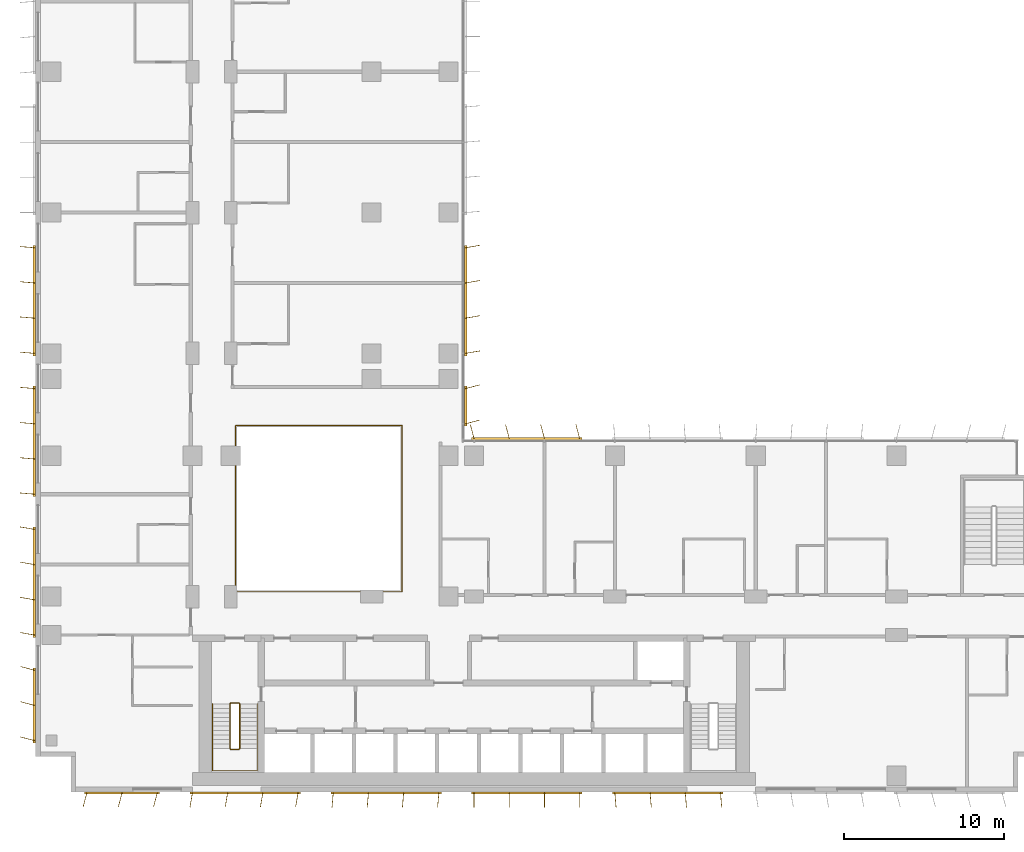
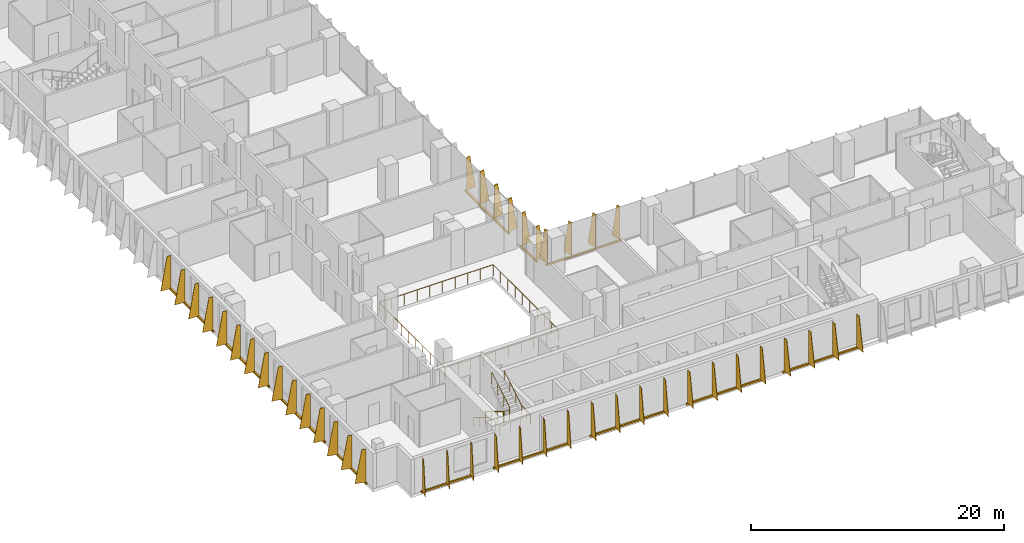
# One storey, part 19 of 22: 12 shading devices, 3 railings.
"""IFC4 building model written with IfcOpenShell, lengths in metres."""

from ifc_helpers import new_model, si_unit, direction, frame, origin, origin_2d, place, context, subcontext, project, spatial, polyline, rectangle, circle, outline, extrude, source, transform, mapped, material, layer, layer_set, type_object, element, save


model = new_model("IFC4")

# Units and contexts
model_context = context("Model", 3, precision=1e-05, world=origin(), true_north=direction((0.0, 1.0)))
body_context = subcontext(model_context, "Body", "Model", "MODEL_VIEW")
ifc_project = project(units=[si_unit("LENGTHUNIT", "METRE"), si_unit("AREAUNIT", "SQUARE_METRE"), si_unit("VOLUMEUNIT", "CUBIC_METRE"), si_unit("PLANEANGLEUNIT", "RADIAN"), si_unit("MASSUNIT", "GRAM", prefix="KILO")], contexts=[model_context])

# Site, building, storey
site_placement = place(None, origin())
site = spatial("IfcSite", under=ifc_project, at=site_placement, CompositionType="ELEMENT")
building_placement = place(site_placement, origin())
building = spatial("IfcBuilding", under=site, at=building_placement, Name="Kemantara Hotel Tower", CompositionType="ELEMENT")
storey_placement = place(building_placement, frame((0.0, 0.0, 94.5)))
storey = spatial("IfcBuildingStorey", under=building, at=storey_placement, Name="L22", CompositionType="ELEMENT", Elevation=94.5)

# Railings
ifc_material_1 = material(Name="Stainless steel and laminated glass balustrade", Category="steel")
railing_type_1 = type_object("IfcRailingType", Name="ATRIUM GUARD 1100", PredefinedType="GUARDRAIL", material=ifc_material_1)
railing_1_placement = place(storey_placement, frame((12.56005859375, 12.5, 0.0)))
element("IfcRailing", 1, at=railing_1_placement, inside=storey, type_object=railing_type_1, Name="ATRIUM GUARD L22", PredefinedType="GUARDRAIL", context=body_context, shape_type="SweptSolid", body=[
    extrude(circle(Radius=0.02490234375, at=origin_2d()), frame((0.0, 0.0, 1.0751953125), z_axis=(1.0, 0.0, 0.0), x_axis=(0.0, 1.0, 0.0)), (0.0, 0.0, 1.0), 10.33984375),
    extrude(circle(Radius=0.02490234375, at=origin_2d()), frame((10.33984375, 0.0, 1.0751953125), z_axis=(0.0, 1.0, 0.0), x_axis=(-1.0, 0.0, 0.0)), (0.0, 0.0, 1.0), 10.39990234375),
    extrude(circle(Radius=0.02490234375, at=origin_2d()), frame((10.33984375, 10.39990234375, 1.0751953125), z_axis=(-1.0, 0.0, 0.0), x_axis=(0.0, -1.0, 0.0)), (0.0, 0.0, 1.0), 10.39990234375),
    extrude(circle(Radius=0.02490234375, at=origin_2d()), frame((-0.06005859375, 10.39990234375, 1.0751953125), z_axis=(0.0, -1.0, 0.0), x_axis=(1.0, 0.0, 0.0)), (0.0, 0.0, 1.0), 10.39990234375),
    extrude(circle(Radius=0.02001953125, at=origin_2d()), origin(), (0.0, 0.0, 1.0), 1.050048828125),
    extrude(circle(Radius=0.02001953125, at=origin_2d()), frame((1.14892578125, 0.0, 0.0)), (0.0, 0.0, 1.0), 1.050048828125),
    extrude(circle(Radius=0.02001953125, at=origin_2d()), frame((2.2978515625, 0.0, 0.0)), (0.0, 0.0, 1.0), 1.050048828125),
    extrude(circle(Radius=0.02001953125, at=origin_2d()), frame((3.446533203125, 0.0, 0.0)), (0.0, 0.0, 1.0), 1.050048828125),
    extrude(circle(Radius=0.02001953125, at=origin_2d()), frame((4.595458984375, 0.0, 0.0)), (0.0, 0.0, 1.0), 1.050048828125),
    extrude(circle(Radius=0.02001953125, at=origin_2d()), frame((5.744384765625, 0.0, 0.0)), (0.0, 0.0, 1.0), 1.050048828125),
    extrude(circle(Radius=0.02001953125, at=origin_2d()), frame((6.893310546875, 0.0, 0.0)), (0.0, 0.0, 1.0), 1.050048828125),
    extrude(circle(Radius=0.02001953125, at=origin_2d()), frame((8.0419921875, 0.0, 0.0)), (0.0, 0.0, 1.0), 1.050048828125),
    extrude(circle(Radius=0.02001953125, at=origin_2d()), frame((9.19091796875, 0.0, 0.0)), (0.0, 0.0, 1.0), 1.050048828125),
    extrude(circle(Radius=0.02001953125, at=origin_2d()), frame((10.33984375, 0.0, 0.0)), (0.0, 0.0, 1.0), 1.050048828125),
    extrude(circle(Radius=0.02001953125, at=origin_2d()), frame((10.33984375, 1.155517578125, 0.0)), (0.0, 0.0, 1.0), 1.050048828125),
    extrude(circle(Radius=0.02001953125, at=origin_2d()), frame((10.33984375, 2.31103515625, 0.0)), (0.0, 0.0, 1.0), 1.050048828125),
    extrude(circle(Radius=0.02001953125, at=origin_2d()), frame((10.33984375, 3.466552734375, 0.0)), (0.0, 0.0, 1.0), 1.050048828125),
    extrude(circle(Radius=0.02001953125, at=origin_2d()), frame((10.33984375, 4.6220703125, 0.0)), (0.0, 0.0, 1.0), 1.050048828125),
    extrude(circle(Radius=0.02001953125, at=origin_2d()), frame((10.33984375, 5.77783203125, 0.0)), (0.0, 0.0, 1.0), 1.050048828125),
    extrude(circle(Radius=0.02001953125, at=origin_2d()), frame((10.33984375, 6.933349609375, 0.0)), (0.0, 0.0, 1.0), 1.050048828125),
    extrude(circle(Radius=0.02001953125, at=origin_2d()), frame((10.33984375, 8.0888671875, 0.0)), (0.0, 0.0, 1.0), 1.050048828125),
    extrude(circle(Radius=0.02001953125, at=origin_2d()), frame((10.33984375, 9.244384765625, 0.0)), (0.0, 0.0, 1.0), 1.050048828125),
    extrude(circle(Radius=0.02001953125, at=origin_2d()), frame((10.33984375, 10.39990234375, 0.0)), (0.0, 0.0, 1.0), 1.050048828125),
    extrude(circle(Radius=0.02001953125, at=origin_2d()), frame((9.184326171875, 10.39990234375, 0.0)), (0.0, 0.0, 1.0), 1.050048828125),
    extrude(circle(Radius=0.02001953125, at=origin_2d()), frame((8.02880859375, 10.39990234375, 0.0)), (0.0, 0.0, 1.0), 1.050048828125),
    extrude(circle(Radius=0.02001953125, at=origin_2d()), frame((6.873291015625, 10.39990234375, 0.0)), (0.0, 0.0, 1.0), 1.050048828125),
    extrude(circle(Radius=0.02001953125, at=origin_2d()), frame((5.7177734375, 10.39990234375, 0.0)), (0.0, 0.0, 1.0), 1.050048828125),
    extrude(circle(Radius=0.02001953125, at=origin_2d()), frame((4.56201171875, 10.39990234375, 0.0)), (0.0, 0.0, 1.0), 1.050048828125),
    extrude(circle(Radius=0.02001953125, at=origin_2d()), frame((3.406494140625, 10.39990234375, 0.0)), (0.0, 0.0, 1.0), 1.050048828125),
    extrude(circle(Radius=0.02001953125, at=origin_2d()), frame((2.2509765625, 10.39990234375, 0.0)), (0.0, 0.0, 1.0), 1.050048828125),
    extrude(circle(Radius=0.02001953125, at=origin_2d()), frame((1.095458984375, 10.39990234375, 0.0)), (0.0, 0.0, 1.0), 1.050048828125),
    extrude(circle(Radius=0.02001953125, at=origin_2d()), frame((-0.06005859375, 10.39990234375, 0.0)), (0.0, 0.0, 1.0), 1.050048828125),
    extrude(circle(Radius=0.02001953125, at=origin_2d()), frame((-0.06005859375, 9.244384765625, 0.0)), (0.0, 0.0, 1.0), 1.050048828125),
    extrude(circle(Radius=0.02001953125, at=origin_2d()), frame((-0.06005859375, 8.0888671875, 0.0)), (0.0, 0.0, 1.0), 1.050048828125),
    extrude(circle(Radius=0.02001953125, at=origin_2d()), frame((-0.06005859375, 6.933349609375, 0.0)), (0.0, 0.0, 1.0), 1.050048828125),
    extrude(circle(Radius=0.02001953125, at=origin_2d()), frame((-0.06005859375, 5.77783203125, 0.0)), (0.0, 0.0, 1.0), 1.050048828125),
    extrude(circle(Radius=0.02001953125, at=origin_2d()), frame((-0.06005859375, 4.6220703125, 0.0)), (0.0, 0.0, 1.0), 1.050048828125),
    extrude(circle(Radius=0.02001953125, at=origin_2d()), frame((-0.06005859375, 3.466552734375, 0.0)), (0.0, 0.0, 1.0), 1.050048828125),
    extrude(circle(Radius=0.02001953125, at=origin_2d()), frame((-0.06005859375, 2.31103515625, 0.0)), (0.0, 0.0, 1.0), 1.050048828125),
    extrude(circle(Radius=0.02001953125, at=origin_2d()), frame((-0.06005859375, 1.155517578125, 0.0)), (0.0, 0.0, 1.0), 1.050048828125),
    extrude(circle(Radius=0.02001953125, at=origin_2d()), frame((-0.06005859375, 0.0, 0.0)), (0.0, 0.0, 1.0), 1.050048828125),
])
ifc_material_2 = material(Name="Stainless steel balustrade", Category="steel")
railing_type_2 = type_object("IfcRailingType", Name="Stair guard 1100 mm", PredefinedType="GUARDRAIL", material=ifc_material_2)
railing_2_placement = place(storey_placement, frame((12.75, 5.5, 3.699951171875)))
element("IfcRailing", 2, at=railing_2_placement, inside=storey, type_object=railing_type_2, Name="L22 ST1 stair guard 1", PredefinedType="GUARDRAIL", context=body_context, shape_type="SweptSolid", body=[
    extrude(circle(Radius=0.02392578125, at=origin_2d()), frame((0.0, 0.0, 1.076171875), z_axis=(0.0, -0.857242210791, -0.514913383045), x_axis=(1.0, 0.0, 0.0)), (0.0, 0.0, 1.0), 3.266357421875),
    extrude(circle(Radius=0.02392578125, at=origin_2d()), frame((0.0, -2.800048828125, -0.60595703125), z_axis=(-0.274582412415, -0.274582412415, -0.921525364591), x_axis=(0.707106781187, -0.707106781187, 0.0)), (0.0, 0.0, 1.0), 0.182373046875),
    extrude(circle(Radius=0.02392578125, at=origin_2d()), frame((-0.050048828125, -2.85009765625, -0.77392578125), z_axis=(-1.0, 0.0, 0.0), x_axis=(0.0, -1.0, 0.0)), (0.0, 0.0, 1.0), 0.5),
    extrude(circle(Radius=0.02392578125, at=origin_2d()), frame((-0.550048828125, -2.85009765625, -0.77392578125), z_axis=(-0.707106781187, 0.707106781187, 0.0), x_axis=(-0.707106781187, -0.707106781187, 0.0)), (0.0, 0.0, 1.0), 0.07080078125),
    extrude(circle(Radius=0.02392578125, at=origin_2d()), frame((-0.60009765625, -2.800048828125, -0.77392578125), z_axis=(0.0, 0.857242210791, -0.514913383045), x_axis=(-1.0, 0.0, 0.0)), (0.0, 0.0, 1.0), 3.266357421875),
    extrude(circle(Radius=0.02392578125, at=origin_2d()), frame((-0.60009765625, 0.0, -2.45556640625), z_axis=(0.274243871929, 0.274243871929, -0.92172696468), x_axis=(-0.707106781187, 0.707106781187, 0.0)), (0.0, 0.0, 1.0), 0.1826171875),
    extrude(circle(Radius=0.02392578125, at=origin_2d()), frame((-0.550048828125, 0.050048828125, -2.6240234375), z_axis=(1.0, 0.0, 0.0), x_axis=(0.0, 1.0, 0.0)), (0.0, 0.0, 1.0), 0.5),
    extrude(circle(Radius=0.02099609375, at=origin_2d()), origin(), (0.0, 0.0, 1.0), 1.052001953125),
    extrude(circle(Radius=0.02099609375, at=origin_2d()), frame((0.0, -0.933349609375, -0.560546875)), (0.0, 0.0, 1.0), 1.052001953125),
    extrude(circle(Radius=0.02099609375, at=origin_2d()), frame((0.0, -1.86669921875, -1.121337890625)), (0.0, 0.0, 1.0), 1.052001953125),
    extrude(circle(Radius=0.02099609375, at=origin_2d()), frame((0.0, -2.800048828125, -1.681884765625)), (0.0, 0.0, 1.0), 1.052001953125),
    extrude(circle(Radius=0.02099609375, at=origin_2d()), frame((-0.050048828125, -2.85009765625, -1.849853515625)), (0.0, 0.0, 1.0), 1.052001953125),
    extrude(circle(Radius=0.02099609375, at=origin_2d()), frame((-0.550048828125, -2.85009765625, -1.849853515625)), (0.0, 0.0, 1.0), 1.052001953125),
    extrude(circle(Radius=0.02099609375, at=origin_2d()), frame((-0.60009765625, -2.800048828125, -1.849853515625)), (0.0, 0.0, 1.0), 1.052001953125),
    extrude(circle(Radius=0.02099609375, at=origin_2d()), frame((-0.60009765625, -1.86669921875, -2.410400390625)), (0.0, 0.0, 1.0), 1.052001953125),
    extrude(circle(Radius=0.02099609375, at=origin_2d()), frame((-0.60009765625, -0.933349609375, -2.97119140625)), (0.0, 0.0, 1.0), 1.052001953125),
    extrude(circle(Radius=0.02099609375, at=origin_2d()), frame((-0.60009765625, 0.0, -3.53173828125)), (0.0, 0.0, 1.0), 1.052001953125),
    extrude(circle(Radius=0.02099609375, at=origin_2d()), frame((-0.550048828125, 0.050048828125, -3.699951171875)), (0.0, 0.0, 1.0), 1.052001953125),
    extrude(circle(Radius=0.02099609375, at=origin_2d()), frame((-0.050048828125, 0.050048828125, -3.699951171875)), (0.0, 0.0, 1.0), 1.052001953125),
])
railing_type_3 = type_object("IfcRailingType", Name="Stair handrail 900 mm", PredefinedType="HANDRAIL", material=ifc_material_2)
railing_3_placement = place(storey_placement, frame((11.050048828125, 5.5, 0.168212890625)))
element("IfcRailing", 3, at=railing_3_placement, inside=storey, type_object=railing_type_3, Name="L22 ST1 stair handrail 1", PredefinedType="HANDRAIL", context=body_context, shape_type="SweptSolid", body=[
    extrude(circle(Radius=0.02392578125, at=origin_2d()), frame((0.0, 0.0, 0.8759765625), z_axis=(0.0, -0.857242210791, 0.514913383045), x_axis=(1.0, 0.0, 0.0)), (0.0, 0.0, 1.0), 3.266357421875),
    extrude(circle(Radius=0.02392578125, at=origin_2d()), frame((0.0, -2.800048828125, 2.5576171875), z_axis=(0.0, -1.0, 0.0), x_axis=(1.0, 0.0, 0.0)), (0.0, 0.0, 1.0), 1.3798828125),
    extrude(circle(Radius=0.02392578125, at=origin_2d()), frame((0.0, -4.179931640625, 2.5576171875), z_axis=(0.998205573864, 0.0, 0.059880149518), x_axis=(0.0, 1.0, 0.0)), (0.0, 0.0, 1.0), 2.80517578125),
    extrude(circle(Radius=0.02392578125, at=origin_2d()), frame((2.800048828125, -4.179931640625, 2.7255859375), z_axis=(0.0, 1.0, 0.0), x_axis=(-1.0, 0.0, 0.0)), (0.0, 0.0, 1.0), 1.3798828125),
    extrude(circle(Radius=0.02392578125, at=origin_2d()), frame((2.800048828125, -2.800048828125, 2.7255859375), z_axis=(0.0, 0.857242210791, 0.514913383045), x_axis=(-1.0, 0.0, 0.0)), (0.0, 0.0, 1.0), 3.266357421875),
    extrude(circle(Radius=0.02099609375, at=origin_2d()), origin(), (0.0, 0.0, 1.0), 0.851806640625),
    extrude(circle(Radius=0.02099609375, at=origin_2d()), frame((0.0, -0.933349609375, 0.560546875)), (0.0, 0.0, 1.0), 0.851806640625),
    extrude(circle(Radius=0.02099609375, at=origin_2d()), frame((0.0, -1.86669921875, 1.121337890625)), (0.0, 0.0, 1.0), 0.851806640625),
    extrude(circle(Radius=0.02099609375, at=origin_2d()), frame((0.0, -2.800048828125, 1.681884765625)), (0.0, 0.0, 1.0), 0.851806640625),
    extrude(circle(Radius=0.02099609375, at=origin_2d()), frame((0.0, -3.489990234375, 1.681884765625)), (0.0, 0.0, 1.0), 0.851806640625),
    extrude(circle(Radius=0.02099609375, at=origin_2d()), frame((0.0, -4.179931640625, 1.681884765625)), (0.0, 0.0, 1.0), 0.851806640625),
    extrude(circle(Radius=0.02099609375, at=origin_2d()), frame((0.933349609375, -4.179931640625, 1.73779296875)), (0.0, 0.0, 1.0), 0.851806640625),
    extrude(circle(Radius=0.02099609375, at=origin_2d()), frame((1.86669921875, -4.179931640625, 1.7939453125)), (0.0, 0.0, 1.0), 0.851806640625),
    extrude(circle(Radius=0.02099609375, at=origin_2d()), frame((2.800048828125, -4.179931640625, 1.849853515625)), (0.0, 0.0, 1.0), 0.851806640625),
    extrude(circle(Radius=0.02099609375, at=origin_2d()), frame((2.800048828125, -3.489990234375, 1.849853515625)), (0.0, 0.0, 1.0), 0.851806640625),
    extrude(circle(Radius=0.02099609375, at=origin_2d()), frame((2.800048828125, -2.800048828125, 1.849853515625)), (0.0, 0.0, 1.0), 0.851806640625),
    extrude(circle(Radius=0.02099609375, at=origin_2d()), frame((2.800048828125, -1.86669921875, 2.410400390625)), (0.0, 0.0, 1.0), 0.851806640625),
    extrude(circle(Radius=0.02099609375, at=origin_2d()), frame((2.800048828125, -0.933349609375, 2.97119140625)), (0.0, 0.0, 1.0), 0.851806640625),
    extrude(circle(Radius=0.02099609375, at=origin_2d()), frame((2.800048828125, 0.0, 3.53173828125)), (0.0, 0.0, 1.0), 0.851806640625),
])

# Shading devices
ifc_material_3 = material(Name="Perforated aluminium plate 4 mm bronze anodised", Category="aluminium")
ifc_layer_1 = layer(ifc_material_3, 0.0400390625)
ifc_layer_set_1 = layer_set([ifc_layer_1], Name="Perforated aluminium plate 4 mm bronze anodised")
shading_device_type_1 = type_object("IfcShadingDeviceType", Name="SCREEN FIN CASSETTE, 3 BLADES AT -15.0 DEG, 3200 HIGH", PredefinedType="USERDEFINED", material=ifc_layer_set_1)
shared_shape_1 = source(origin(), body_context, "Body", "SweptSolid", [
    extrude(rectangle(XDim=4.699951171875, YDim=0.14990234375, at=origin_2d()), frame((2.199951171875, -0.074951171875, -0.14990234375), z_axis=(0.0, 0.0, 1.0), x_axis=(1.0, 0.0, 0.0)), (0.0, 0.0, 1.0), 0.14990234375),
    extrude(outline(polyline([(0.0, 0.0), (0.89990234375, 0.0), (0.35009765625, 3.199951171875), (0.0, 3.199951171875), (0.0, 0.0)])), frame((0.019287109375, -0.080078125, 0.0), z_axis=(-0.966437683387, 0.256901156343, 0.0), x_axis=(-0.256901156343, -0.966437683387, 0.0)), (0.0, 0.0, 1.0), 0.039794921875),
    extrude(outline(polyline([(0.0, 0.0), (0.89990234375, 0.0), (0.35009765625, 3.199951171875), (0.0, 3.199951171875), (0.0, 0.0)])), frame((2.21923828125, -0.080078125, 0.0), z_axis=(-0.966437683387, 0.256901156343, 0.0), x_axis=(-0.256901156343, -0.966437683387, 0.0)), (0.0, 0.0, 1.0), 0.039794921875),
    extrude(outline(polyline([(0.0, 0.0), (0.89990234375, 0.0), (0.35009765625, 3.199951171875), (0.0, 3.199951171875), (0.0, 0.0)])), frame((4.41943359375, -0.080078125, 0.0), z_axis=(-0.966837822169, 0.255391122837, 0.0), x_axis=(-0.255391122837, -0.966837822169, 0.0)), (0.0, 0.0, 1.0), 0.0400390625),
])
for number, where, z_axis, x_axis, name in (
    (4, (0.0, 7.60009765625, 0.10009765625), (0.0, 0.0, 1.0), (0.0, -1.0, 0.0), "SCREEN FIN CASSETTE L22 T2-R04-9"),
    (5, (3.199951171875, 0.0, 0.10009765625), (0.0, 0.0, 1.0), (1.0, 0.0, 0.0), "SCREEN FIN CASSETTE L22 T2-R07-1"),
):
    element("IfcShadingDevice", number, at=place(storey_placement, frame(where, z_axis=z_axis, x_axis=x_axis)), inside=storey, type_object=shading_device_type_1, Name=name, ObjectType="SCREEN FIN", PredefinedType="USERDEFINED", context=body_context, shape_type="MappedRepresentation", body=[
        mapped(shared_shape_1, transform((0.0, 0.0, 0.0))),
    ])
ifc_layer_2 = layer(ifc_material_3, 0.0400390625)
ifc_layer_set_2 = layer_set([ifc_layer_2], Name="Perforated aluminium plate 4 mm bronze anodised")
shading_device_type_2 = type_object("IfcShadingDeviceType", Name="SCREEN FIN CASSETTE, 4 BLADES AT -10.0 DEG, 3200 HIGH", PredefinedType="USERDEFINED", material=ifc_layer_set_2)
shared_shape_2 = source(origin(), body_context, "Body", "SweptSolid", [
    extrude(rectangle(XDim=6.89990234375, YDim=0.14990234375, at=origin_2d()), frame((3.300048828125, -0.074951171875, -0.14990234375), z_axis=(0.0, 0.0, 1.0), x_axis=(1.0, 0.0, 0.0)), (0.0, 0.0, 1.0), 0.14990234375),
    extrude(outline(polyline([(0.0, 0.0), (0.89990234375, 0.0), (0.35009765625, 3.199951171875), (0.0, 3.199951171875), (0.0, 0.0)])), frame((0.019775390625, -0.078369140625, 0.0), z_axis=(-0.985389793052, 0.170314285219, 0.0), x_axis=(-0.170314285219, -0.985389793052, 0.0)), (0.0, 0.0, 1.0), 0.0400390625),
    extrude(outline(polyline([(0.0, 0.0), (0.89990234375, 0.0), (0.35009765625, 3.199951171875), (0.0, 3.199951171875), (0.0, 0.0)])), frame((2.2197265625, -0.078369140625, 0.0), z_axis=(-0.98521175482, 0.171341174751, 0.0), x_axis=(-0.171341174751, -0.98521175482, 0.0)), (0.0, 0.0, 1.0), 0.039794921875),
    extrude(outline(polyline([(0.0, 0.0), (0.89990234375, 0.0), (0.35009765625, 3.199951171875), (0.0, 3.199951171875), (0.0, 0.0)])), frame((4.419677734375, -0.078369140625, 0.0), z_axis=(-0.98521175482, 0.171341174751, 0.0), x_axis=(-0.171341174751, -0.98521175482, 0.0)), (0.0, 0.0, 1.0), 0.039794921875),
    extrude(outline(polyline([(0.0, 0.0), (0.89990234375, 0.0), (0.35009765625, 3.199951171875), (0.0, 3.199951171875), (0.0, 0.0)])), frame((6.61962890625, -0.078369140625, 0.0), z_axis=(-0.98521175482, 0.171341174751, 0.0), x_axis=(-0.171341174751, -0.98521175482, 0.0)), (0.0, 0.0, 1.0), 0.039794921875),
])
for number, where, z_axis, x_axis, name in (
    (6, (0.0, 16.39990234375, 0.10009765625), (0.0, 0.0, 1.0), (0.0, -1.0, 0.0), "SCREEN FIN CASSETTE L22 T2-R04-8"),
    (7, (9.800048828125, 0.0, 0.10009765625), (0.0, 0.0, 1.0), (1.0, 0.0, 0.0), "SCREEN FIN CASSETTE L22 T2-R07-2"),
):
    element("IfcShadingDevice", number, at=place(storey_placement, frame(where, z_axis=z_axis, x_axis=x_axis)), inside=storey, type_object=shading_device_type_2, Name=name, ObjectType="SCREEN FIN", PredefinedType="USERDEFINED", context=body_context, shape_type="MappedRepresentation", body=[
        mapped(shared_shape_2, transform((0.0, 0.0, 0.0))),
    ])
ifc_layer_3 = layer(ifc_material_3, 0.0400390625)
ifc_layer_set_3 = layer_set([ifc_layer_3], Name="Perforated aluminium plate 4 mm bronze anodised")
shading_device_type_3 = type_object("IfcShadingDeviceType", Name="SCREEN FIN CASSETTE, 4 BLADES AT -5.0 DEG, 3200 HIGH", PredefinedType="USERDEFINED", material=ifc_layer_set_3)
shared_shape_3 = source(origin(), body_context, "Body", "SweptSolid", [
    extrude(rectangle(XDim=6.89990234375, YDim=0.14990234375, at=origin_2d()), frame((3.300048828125, -0.074951171875, -0.14990234375), z_axis=(0.0, 0.0, 1.0), x_axis=(1.0, 0.0, 0.0)), (0.0, 0.0, 1.0), 0.14990234375),
    extrude(outline(polyline([(0.0, 0.0), (0.89990234375, 0.0), (0.35009765625, 3.199951171875), (0.0, 3.199951171875), (0.0, 0.0)])), frame((0.02001953125, -0.07666015625, 0.0), z_axis=(-0.996376129781, 0.085056498884, 0.0), x_axis=(-0.085056498884, -0.996376129781, 0.0)), (0.0, 0.0, 1.0), 0.040283203125),
    extrude(outline(polyline([(0.0, 0.0), (0.89990234375, 0.0), (0.35009765625, 3.199951171875), (0.0, 3.199951171875), (0.0, 0.0)])), frame((2.219970703125, -0.07666015625, 0.0), z_axis=(-0.996331773833, 0.085574508182, 0.0), x_axis=(-0.085574508182, -0.996331773833, 0.0)), (0.0, 0.0, 1.0), 0.0400390625),
    extrude(outline(polyline([(0.0, 0.0), (0.89990234375, 0.0), (0.35009765625, 3.199951171875), (0.0, 3.199951171875), (0.0, 0.0)])), frame((4.419921875, -0.07666015625, 0.0), z_axis=(-0.996331773833, 0.085574508182, 0.0), x_axis=(-0.085574508182, -0.996331773833, 0.0)), (0.0, 0.0, 1.0), 0.0400390625),
    extrude(outline(polyline([(0.0, 0.0), (0.89990234375, 0.0), (0.35009765625, 3.199951171875), (0.0, 3.199951171875), (0.0, 0.0)])), frame((6.619873046875, -0.07666015625, 0.0), z_axis=(-0.996331773833, 0.085574508182, 0.0), x_axis=(-0.085574508182, -0.996331773833, 0.0)), (0.0, 0.0, 1.0), 0.0400390625),
])
for number, where, z_axis, x_axis, name in (
    (8, (0.0, 34.0, 0.10009765625), (0.0, 0.0, 1.0), (0.0, -1.0, 0.0), "SCREEN FIN CASSETTE L22 T2-R04-6"),
    (9, (0.0, 25.199951171875, 0.10009765625), (0.0, 0.0, 1.0), (0.0, -1.0, 0.0), "SCREEN FIN CASSETTE L22 T2-R04-7"),
    (10, (18.60009765625, 0.0, 0.10009765625), (0.0, 0.0, 1.0), (1.0, 0.0, 0.0), "SCREEN FIN CASSETTE L22 T2-R07-3"),
):
    element("IfcShadingDevice", number, at=place(storey_placement, frame(where, z_axis=z_axis, x_axis=x_axis)), inside=storey, type_object=shading_device_type_3, Name=name, ObjectType="SCREEN FIN", PredefinedType="USERDEFINED", context=body_context, shape_type="MappedRepresentation", body=[
        mapped(shared_shape_3, transform((0.0, 0.0, 0.0))),
    ])
ifc_layer_4 = layer(ifc_material_3, 0.0400390625)
ifc_layer_set_4 = layer_set([ifc_layer_4], Name="Perforated aluminium plate 4 mm bronze anodised")
shading_device_type_4 = type_object("IfcShadingDeviceType", Name="SCREEN FIN CASSETTE, 4 BLADES AT +0.0 DEG, 3200 HIGH", PredefinedType="USERDEFINED", material=ifc_layer_set_4)
shared_shape_4 = source(origin(), body_context, "Body", "SweptSolid", [
    extrude(rectangle(XDim=6.89990234375, YDim=0.14990234375, at=origin_2d()), frame((3.300048828125, -0.074951171875, -0.14990234375), z_axis=(0.0, 0.0, 1.0), x_axis=(1.0, 0.0, 0.0)), (0.0, 0.0, 1.0), 0.14990234375),
    extrude(outline(polyline([(0.0, 0.0), (0.89990234375, 0.0), (0.35009765625, 3.199951171875), (0.0, 3.199951171875), (0.0, 0.0)])), frame((0.02001953125, -0.074951171875, 0.0), z_axis=(-1.0, 0.0, 0.0), x_axis=(0.0, -1.0, 0.0)), (0.0, 0.0, 1.0), 0.0400390625),
    extrude(outline(polyline([(0.0, 0.0), (0.89990234375, 0.0), (0.35009765625, 3.199951171875), (0.0, 3.199951171875), (0.0, 0.0)])), frame((2.219970703125, -0.074951171875, 0.0), z_axis=(-1.0, 0.0, 0.0), x_axis=(0.0, -1.0, 0.0)), (0.0, 0.0, 1.0), 0.0400390625),
    extrude(outline(polyline([(0.0, 0.0), (0.89990234375, 0.0), (0.35009765625, 3.199951171875), (0.0, 3.199951171875), (0.0, 0.0)])), frame((4.419921875, -0.074951171875, 0.0), z_axis=(-1.0, 0.0, 0.0), x_axis=(0.0, -1.0, 0.0)), (0.0, 0.0, 1.0), 0.0400390625),
    extrude(outline(polyline([(0.0, 0.0), (0.89990234375, 0.0), (0.35009765625, 3.199951171875), (0.0, 3.199951171875), (0.0, 0.0)])), frame((6.6201171875, -0.074951171875, 0.0), z_axis=(-1.0, 0.0, 0.0), x_axis=(0.0, -1.0, 0.0)), (0.0, 0.0, 1.0), 0.0400390625),
])
shading_device_1_placement = place(storey_placement, frame((27.39990234375, 0.0, 0.10009765625), z_axis=(0.0, 0.0, 1.0), x_axis=(1.0, 0.0, 0.0)))
element("IfcShadingDevice", 11, at=shading_device_1_placement, inside=storey, type_object=shading_device_type_4, Name="SCREEN FIN CASSETTE L22 T2-R07-4", ObjectType="SCREEN FIN", PredefinedType="USERDEFINED", context=body_context, shape_type="MappedRepresentation", body=[
    mapped(shared_shape_4, transform((0.0, 0.0, 0.0))),
])
ifc_layer_5 = layer(ifc_material_3, 0.0400390625)
ifc_layer_set_5 = layer_set([ifc_layer_5], Name="Perforated aluminium plate 4 mm bronze anodised")
shading_device_type_5 = type_object("IfcShadingDeviceType", Name="SCREEN FIN CASSETTE, 4 BLADES AT +5.0 DEG, 3200 HIGH", PredefinedType="USERDEFINED", material=ifc_layer_set_5)
shared_shape_5 = source(origin(), body_context, "Body", "SweptSolid", [
    extrude(rectangle(XDim=6.89990234375, YDim=0.14990234375, at=origin_2d()), frame((3.300048828125, -0.074951171875, -0.14990234375), z_axis=(0.0, 0.0, 1.0), x_axis=(1.0, 0.0, 0.0)), (0.0, 0.0, 1.0), 0.14990234375),
    extrude(outline(polyline([(0.0, 0.0), (0.89990234375, 0.0), (0.35009765625, 3.199951171875), (0.0, 3.199951171875), (0.0, 0.0)])), frame((0.02001953125, -0.0732421875, 0.0), z_axis=(-0.996376129781, -0.085056498884, 0.0), x_axis=(0.085056498884, -0.996376129781, 0.0)), (0.0, 0.0, 1.0), 0.040283203125),
    extrude(outline(polyline([(0.0, 0.0), (0.89990234375, 0.0), (0.35009765625, 3.199951171875), (0.0, 3.199951171875), (0.0, 0.0)])), frame((2.219970703125, -0.0732421875, 0.0), z_axis=(-0.996331773833, -0.085574508182, 0.0), x_axis=(0.085574508182, -0.996331773833, 0.0)), (0.0, 0.0, 1.0), 0.0400390625),
    extrude(outline(polyline([(0.0, 0.0), (0.89990234375, 0.0), (0.35009765625, 3.199951171875), (0.0, 3.199951171875), (0.0, 0.0)])), frame((4.419921875, -0.0732421875, 0.0), z_axis=(-0.996331773833, -0.085574508182, 0.0), x_axis=(0.085574508182, -0.996331773833, 0.0)), (0.0, 0.0, 1.0), 0.0400390625),
    extrude(outline(polyline([(0.0, 0.0), (0.89990234375, 0.0), (0.35009765625, 3.199951171875), (0.0, 3.199951171875), (0.0, 0.0)])), frame((6.619873046875, -0.0732421875, 0.0), z_axis=(-0.996331773833, -0.085574508182, 0.0), x_axis=(0.085574508182, -0.996331773833, 0.0)), (0.0, 0.0, 1.0), 0.0400390625),
])
shading_device_2_placement = place(storey_placement, frame((36.199951171875, 0.0, 0.10009765625), z_axis=(0.0, 0.0, 1.0), x_axis=(1.0, 0.0, 0.0)))
element("IfcShadingDevice", 12, at=shading_device_2_placement, inside=storey, type_object=shading_device_type_5, Name="SCREEN FIN CASSETTE L22 T2-R07-5", ObjectType="SCREEN FIN", PredefinedType="USERDEFINED", context=body_context, shape_type="MappedRepresentation", body=[
    mapped(shared_shape_5, transform((0.0, 0.0, 0.0))),
])
ifc_layer_6 = layer(ifc_material_3, 0.0400390625)
ifc_layer_set_6 = layer_set([ifc_layer_6], Name="Perforated aluminium plate 4 mm bronze anodised")
shading_device_type_6 = type_object("IfcShadingDeviceType", Name="SCREEN FIN CASSETTE, 4 BLADES AT +10.0 DEG, 3200 HIGH", PredefinedType="USERDEFINED", material=ifc_layer_set_6)
shared_shape_6 = source(origin(), body_context, "Body", "SweptSolid", [
    extrude(rectangle(XDim=6.89990234375, YDim=0.14990234375, at=origin_2d()), frame((3.300048828125, -0.074951171875, -0.14990234375), z_axis=(0.0, 0.0, 1.0), x_axis=(1.0, 0.0, 0.0)), (0.0, 0.0, 1.0), 0.14990234375),
    extrude(outline(polyline([(0.0, 0.0), (0.89990234375, 0.0), (0.35009765625, 3.199951171875), (0.0, 3.199951171875), (0.0, 0.0)])), frame((0.019775390625, -0.071533203125, 0.0), z_axis=(-0.985389793052, -0.170314285219, 0.0), x_axis=(0.170314285219, -0.985389793052, 0.0)), (0.0, 0.0, 1.0), 0.0400390625),
    extrude(outline(polyline([(0.0, 0.0), (0.89990234375, 0.0), (0.35009765625, 3.199951171875), (0.0, 3.199951171875), (0.0, 0.0)])), frame((2.2197265625, -0.071533203125, 0.0), z_axis=(-0.98521175482, -0.171341174751, 0.0), x_axis=(0.171341174751, -0.98521175482, 0.0)), (0.0, 0.0, 1.0), 0.039794921875),
    extrude(outline(polyline([(0.0, 0.0), (0.89990234375, 0.0), (0.35009765625, 3.199951171875), (0.0, 3.199951171875), (0.0, 0.0)])), frame((4.419677734375, -0.071533203125, 0.0), z_axis=(-0.98521175482, -0.171341174751, 0.0), x_axis=(0.171341174751, -0.98521175482, 0.0)), (0.0, 0.0, 1.0), 0.039794921875),
    extrude(outline(polyline([(0.0, 0.0), (0.89990234375, 0.0), (0.35009765625, 3.199951171875), (0.0, 3.199951171875), (0.0, 0.0)])), frame((6.61962890625, -0.071533203125, 0.0), z_axis=(-0.98521175482, -0.171341174751, 0.0), x_axis=(0.171341174751, -0.98521175482, 0.0)), (0.0, 0.0, 1.0), 0.039794921875),
])
shading_device_3_placement = place(storey_placement, frame((26.800048828125, 27.39990234375, 0.10009765625), z_axis=(0.0, 0.0, 1.0), x_axis=(0.0, 1.0, 0.0)))
element("IfcShadingDevice", 13, at=shading_device_3_placement, inside=storey, type_object=shading_device_type_6, Name="SCREEN FIN CASSETTE L22 T2-R14-2", ObjectType="SCREEN FIN", PredefinedType="USERDEFINED", context=body_context, shape_type="MappedRepresentation", body=[
    mapped(shared_shape_6, transform((0.0, 0.0, 0.0))),
])
ifc_layer_7 = layer(ifc_material_3, 0.0400390625)
ifc_layer_set_7 = layer_set([ifc_layer_7], Name="Perforated aluminium plate 4 mm bronze anodised")
shading_device_type_7 = type_object("IfcShadingDeviceType", Name="SCREEN FIN CASSETTE, 4 BLADES AT +15.0 DEG, 3200 HIGH", PredefinedType="USERDEFINED", material=ifc_layer_set_7)
shared_shape_7 = source(origin(), body_context, "Body", "SweptSolid", [
    extrude(rectangle(XDim=6.89990234375, YDim=0.14990234375, at=origin_2d()), frame((3.300048828125, -0.074951171875, -0.14990234375), z_axis=(0.0, 0.0, 1.0), x_axis=(1.0, 0.0, 0.0)), (0.0, 0.0, 1.0), 0.14990234375),
    extrude(outline(polyline([(0.0, 0.0), (0.89990234375, 0.0), (0.35009765625, 3.199951171875), (0.0, 3.199951171875), (0.0, 0.0)])), frame((0.019287109375, -0.06982421875, 0.0), z_axis=(-0.966437683387, -0.256901156343, 0.0), x_axis=(0.256901156343, -0.966437683387, 0.0)), (0.0, 0.0, 1.0), 0.039794921875),
    extrude(outline(polyline([(0.0, 0.0), (0.89990234375, 0.0), (0.35009765625, 3.199951171875), (0.0, 3.199951171875), (0.0, 0.0)])), frame((2.21923828125, -0.06982421875, 0.0), z_axis=(-0.966437683387, -0.256901156343, 0.0), x_axis=(0.256901156343, -0.966437683387, 0.0)), (0.0, 0.0, 1.0), 0.039794921875),
    extrude(outline(polyline([(0.0, 0.0), (0.89990234375, 0.0), (0.35009765625, 3.199951171875), (0.0, 3.199951171875), (0.0, 0.0)])), frame((4.41943359375, -0.06982421875, 0.0), z_axis=(-0.966837822169, -0.255391122837, 0.0), x_axis=(0.255391122837, -0.966837822169, 0.0)), (0.0, 0.0, 1.0), 0.0400390625),
    extrude(outline(polyline([(0.0, 0.0), (0.89990234375, 0.0), (0.35009765625, 3.199951171875), (0.0, 3.199951171875), (0.0, 0.0)])), frame((6.619384765625, -0.06982421875, 0.0), z_axis=(-0.966837822169, -0.255391122837, 0.0), x_axis=(0.255391122837, -0.966837822169, 0.0)), (0.0, 0.0, 1.0), 0.0400390625),
])
shading_device_4_placement = place(storey_placement, frame((34.0, 22.0, 0.10009765625), z_axis=(0.0, 0.0, 1.0), x_axis=(-1.0, 0.0, 0.0)))
element("IfcShadingDevice", 14, at=shading_device_4_placement, inside=storey, type_object=shading_device_type_7, Name="SCREEN FIN CASSETTE L22 T2-R13-4", ObjectType="SCREEN FIN", PredefinedType="USERDEFINED", context=body_context, shape_type="MappedRepresentation", body=[
    mapped(shared_shape_7, transform((0.0, 0.0, 0.0))),
])
ifc_layer_8 = layer(ifc_material_3, 0.0400390625)
ifc_layer_set_8 = layer_set([ifc_layer_8], Name="Perforated aluminium plate 4 mm bronze anodised")
shading_device_type_8 = type_object("IfcShadingDeviceType", Name="SCREEN FIN CASSETTE, 2 BLADES AT +15.0 DEG, 3200 HIGH", PredefinedType="USERDEFINED", material=ifc_layer_set_8)
shared_shape_8 = source(origin(), body_context, "Body", "SweptSolid", [
    extrude(rectangle(XDim=2.5, YDim=0.14990234375, at=origin_2d()), frame((1.10009765625, -0.074951171875, -0.14990234375), z_axis=(0.0, 0.0, 1.0), x_axis=(1.0, 0.0, 0.0)), (0.0, 0.0, 1.0), 0.14990234375),
    extrude(outline(polyline([(0.0, 0.0), (0.89990234375, 0.0), (0.35009765625, 3.199951171875), (0.0, 3.199951171875), (0.0, 0.0)])), frame((0.019287109375, -0.06982421875, 0.0), z_axis=(-0.966437683387, -0.256901156343, 0.0), x_axis=(0.256901156343, -0.966437683387, 0.0)), (0.0, 0.0, 1.0), 0.039794921875),
    extrude(outline(polyline([(0.0, 0.0), (0.89990234375, 0.0), (0.35009765625, 3.199951171875), (0.0, 3.199951171875), (0.0, 0.0)])), frame((2.21923828125, -0.06982421875, 0.0), z_axis=(-0.966437683387, -0.256901156343, 0.0), x_axis=(0.256901156343, -0.966437683387, 0.0)), (0.0, 0.0, 1.0), 0.039794921875),
])
shading_device_5_placement = place(storey_placement, frame((26.800048828125, 23.0, 0.10009765625), z_axis=(0.0, 0.0, 1.0), x_axis=(0.0, 1.0, 0.0)))
element("IfcShadingDevice", 15, at=shading_device_5_placement, inside=storey, type_object=shading_device_type_8, Name="SCREEN FIN CASSETTE L22 T2-R14-1", ObjectType="SCREEN FIN", PredefinedType="USERDEFINED", context=body_context, shape_type="MappedRepresentation", body=[
    mapped(shared_shape_8, transform((0.0, 0.0, 0.0))),
])

save(model, "model.ifc")
